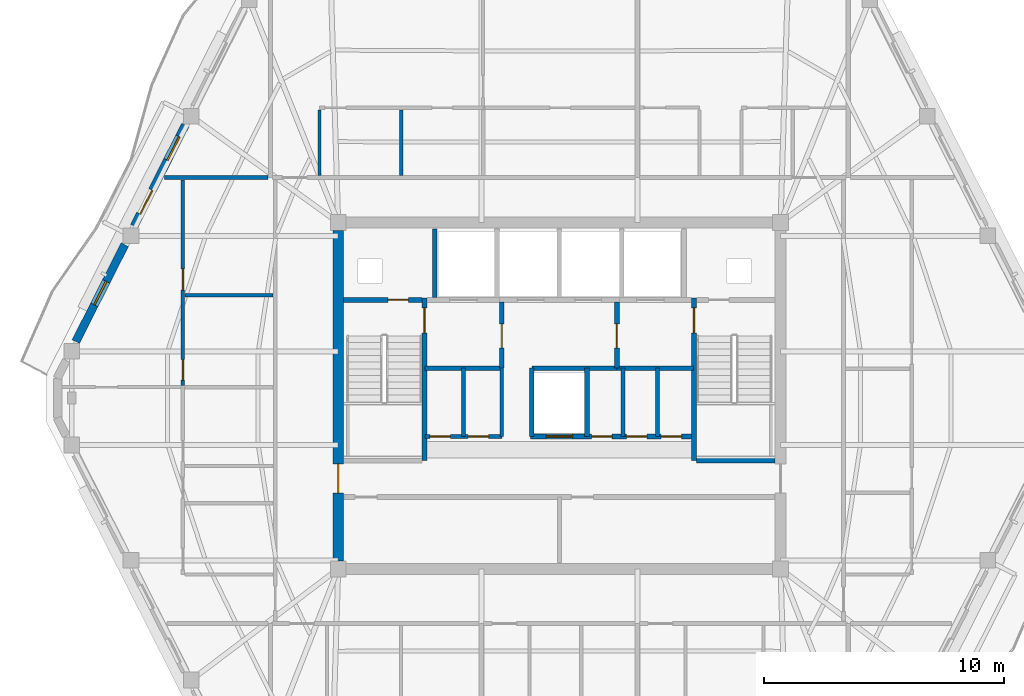
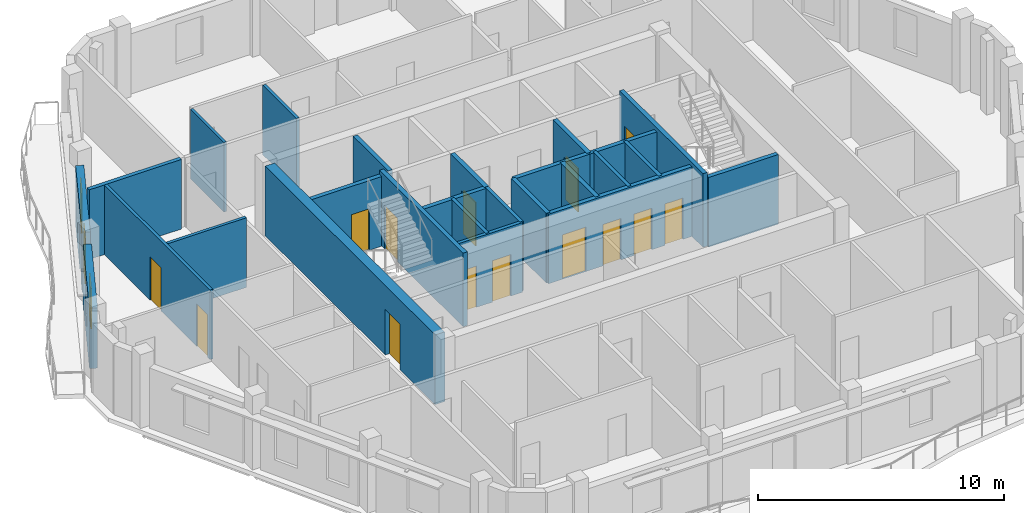
# One storey, part 5 of 12: 26 walls, 15 doors, 2 windows, 17 openings.
"""IFC4 building model written with IfcOpenShell, lengths in metres."""

from ifc_helpers import new_model, si_unit, direction, frame, frame_2d, origin, place, context, subcontext, project, spatial, rectangle, extrude, material, layer, layer_set, type_object, element, fill, save


model = new_model("IFC4")

# Units and contexts
model_context = context("Model", 3, precision=1e-05, world=origin(), true_north=direction((0.0, 1.0)))
body_context = subcontext(model_context, "Body", "Model", "MODEL_VIEW")
ifc_project = project(units=[si_unit("LENGTHUNIT", "METRE"), si_unit("AREAUNIT", "SQUARE_METRE"), si_unit("VOLUMEUNIT", "CUBIC_METRE"), si_unit("PLANEANGLEUNIT", "RADIAN"), si_unit("MASSUNIT", "GRAM", prefix="KILO")], contexts=[model_context])

# Site, building, storey
site_placement = place(None, origin())
site = spatial("IfcSite", under=ifc_project, at=site_placement, CompositionType="ELEMENT")
building_placement = place(site_placement, origin())
building = spatial("IfcBuilding", under=site, at=building_placement, Name="Cinnabar Lancet Tower", CompositionType="ELEMENT")
storey_placement = place(building_placement, frame((0.0, 0.0, 270.800048828125)))
storey = spatial("IfcBuildingStorey", under=building, at=storey_placement, Name="L72", CompositionType="ELEMENT", Elevation=270.800048828125)

# Wall, openings, doors
ifc_material_1 = material(Name="Acoustic twin-stud gypsum partition", Category="gypsum")
ifc_layer_1 = layer(ifc_material_1, 0.159912109375)
ifc_layer_set_1 = layer_set([ifc_layer_1], Name="Acoustic twin-stud gypsum partition")
wall_type_1 = type_object("IfcWallType", Name="ARC-WL-CORR-160", PredefinedType="PARTITIONING", material=ifc_layer_set_1)
wall_1_placement = place(storey_placement, frame((26.800048828125, 24.199951171875, 0.0), z_axis=(0.0, 0.0, 1.0), x_axis=(1.0, 0.0, 0.0)))
wall_1 = element("IfcWall", 1, at=wall_1_placement, inside=storey, type_object=wall_type_1, Name="CW-REC5S-L72", PredefinedType="PARTITIONING", context=body_context, shape_type="SweptSolid", body=[
    extrude(rectangle(XDim=3.199951171875, YDim=0.159912109375, at=frame_2d((1.60009765625, 0.0))), origin(), (0.0, 0.0, 1.0), 3.449951171875),
])
opening_1_placement = place(wall_1_placement, frame((0.199951171875, 0.0, 0.0)))
opening_1 = element("IfcOpeningElement", 2, at=opening_1_placement, cuts=wall_1, Name="Opening PD-02", PredefinedType="OPENING", context=body_context, shape_type="SweptSolid", body=[
    extrude(rectangle(XDim=0.85009765625, YDim=2.050048828125, at=frame_2d((0.425048828125, 1.02490234375))), frame((0.0, 0.08984375, 0.0), z_axis=(0.0, -1.0, 0.0), x_axis=(1.0, 0.0, 0.0)), (0.0, 0.0, 1.0), 0.179931640625),
])
opening_2_placement = place(wall_1_placement, frame((1.800048828125, 0.0, 0.0)))
opening_2 = element("IfcOpeningElement", 3, at=opening_2_placement, cuts=wall_1, Name="Opening PD-02", PredefinedType="OPENING", context=body_context, shape_type="SweptSolid", body=[
    extrude(rectangle(XDim=0.85009765625, YDim=2.050048828125, at=frame_2d((0.425048828125, 1.02490234375))), frame((0.0, 0.08984375, 0.0), z_axis=(0.0, -1.0, 0.0), x_axis=(1.0, 0.0, 0.0)), (0.0, 0.0, 1.0), 0.179931640625),
])
ifc_material_2 = material(Name="Fire-rated steel riser access door", Category="steel")
door_type_1 = type_object("IfcDoorType", Name="ARC-DR-RISER", OperationType="NOTDEFINED", PredefinedType="DOOR", material=ifc_material_2)
door_1_placement = place(opening_1_placement, origin())
door_1 = element("IfcDoor", 4, at=door_1_placement, inside=storey, type_object=door_type_1, Name="DR-L72-REC5A", OperationType="SINGLE_SWING_LEFT", OverallHeight=2.050048828125, OverallWidth=0.85009765625, PredefinedType="DOOR", context=body_context, shape_type="SweptSolid", body=[
    extrude(rectangle(XDim=0.85009765625, YDim=2.050048828125, at=frame_2d((0.425048828125, 1.02490234375))), frame((0.0, 0.02490234375, 0.0), z_axis=(0.0, -1.0, 0.0), x_axis=(1.0, 0.0, 0.0)), (0.0, 0.0, 1.0), 0.050048828125),
])
fill(opening_1, door_1)
door_2_placement = place(opening_2_placement, origin())
door_2 = element("IfcDoor", 5, at=door_2_placement, inside=storey, type_object=door_type_1, Name="DR-L72-REC5B", OperationType="SINGLE_SWING_RIGHT", OverallHeight=2.050048828125, OverallWidth=0.85009765625, PredefinedType="DOOR", context=body_context, shape_type="SweptSolid", body=[
    extrude(rectangle(XDim=0.85009765625, YDim=2.050048828125, at=frame_2d((0.425048828125, 1.02490234375))), frame((0.0, 0.02490234375, 0.0), z_axis=(0.0, -1.0, 0.0), x_axis=(1.0, 0.0, 0.0)), (0.0, 0.0, 1.0), 0.050048828125),
])
fill(opening_2, door_2)

# Walls
for number, where, z_axis, x_axis, name in (
    (6, (30.0, 24.199951171875, 0.0), (0.0, 0.0, 1.0), (0.0, 1.0, 0.0), "CW-REC5E-L72"),
    (7, (28.39990234375, 24.199951171875, 0.0), (0.0, 0.0, 1.0), (0.0, 1.0, 0.0), "CW-REC5D0-L72"),
    (8, (35.050048828125, 24.199951171875, 0.0), (0.0, 0.0, 1.0), (0.0, 1.0, 0.0), "CW-REC6D1-L72"),
    (9, (36.5, 24.199951171875, 0.0), (0.0, 0.0, 1.0), (0.0, 1.0, 0.0), "CW-REC6D2-L72"),
):
    element("IfcWall", number, at=place(storey_placement, frame(where, z_axis=z_axis, x_axis=x_axis)), inside=storey, type_object=wall_type_1, Name=name, PredefinedType="PARTITIONING", context=body_context, shape_type="SweptSolid", body=[
        extrude(rectangle(XDim=2.85009765625, YDim=0.159912109375, at=frame_2d((1.425048828125, 0.0))), origin(), (0.0, 0.0, 1.0), 3.449951171875),
    ])
ifc_material_3 = material(Name="Fire-rated twin-frame acoustic drywall", Category="gypsum")
ifc_layer_2 = layer(ifc_material_3, 0.179931640625)
ifc_layer_set_2 = layer_set([ifc_layer_2], Name="Fire-rated twin-frame acoustic drywall")
wall_type_2 = type_object("IfcWallType", Name="ARC-WL-PARTY-180", PredefinedType="PARTITIONING", material=ifc_layer_set_2)
wall_2_placement = place(storey_placement, frame((15.93310546875, 35.0, 0.0), z_axis=(0.0, 0.0, 1.0), x_axis=(1.0, 0.0, 0.0)))
element("IfcWall", 10, at=wall_2_placement, inside=storey, type_object=wall_type_2, Name="PW-L72-WNB", PredefinedType="PARTITIONING", context=body_context, shape_type="SweptSolid", body=[
    extrude(rectangle(XDim=4.32177734375, YDim=0.179931640625, at=frame_2d((2.160888671875, 0.0))), origin(), (0.0, 0.0, 1.0), 3.449951171875),
])
ifc_material_4 = material(Name="Autoclaved aerated concrete blockwork", Category="masonry")
ifc_layer_3 = layer(ifc_material_4, 0.199951171875)
ifc_layer_set_3 = layer_set([ifc_layer_3], Name="Autoclaved aerated concrete blockwork")
wall_type_3 = type_object("IfcWallType", Name="ARC-WL-SHAFT-200", PredefinedType="PLUMBINGWALL", material=ifc_layer_set_3)
wall_3_placement = place(storey_placement, frame((38.125, 23.199951171875, 0.0), z_axis=(0.0, 0.0, 1.0), x_axis=(1.0, 0.0, 0.0)))
element("IfcWall", 11, at=wall_3_placement, inside=storey, type_object=wall_type_3, Name="CW-ST2S-L72", PredefinedType="PLUMBINGWALL", context=body_context, shape_type="SweptSolid", body=[
    extrude(rectangle(XDim=3.27001953125, YDim=0.199951171875, at=frame_2d((1.635009765625, 0.0))), origin(), (0.0, 0.0, 1.0), 3.449951171875),
])

# Wall, opening, door
wall_4_placement = place(storey_placement, frame((23.405029296875, 29.89990234375, 0.0), z_axis=(0.0, 0.0, 1.0), x_axis=(1.0, 0.0, 0.0)))
wall_4 = element("IfcWall", 12, at=wall_4_placement, inside=storey, type_object=wall_type_3, Name="CW-NSH-W-L72", PredefinedType="PLUMBINGWALL", context=body_context, shape_type="SweptSolid", body=[
    extrude(rectangle(XDim=3.27001953125, YDim=0.199951171875, at=frame_2d((1.635009765625, 0.0))), origin(), (0.0, 0.0, 1.0), 3.449951171875),
])
opening_3_placement = place(wall_4_placement, frame((1.85009765625, 0.0, 0.0)))
opening_3 = element("IfcOpeningElement", 13, at=opening_3_placement, cuts=wall_4, Name="Opening PD-02", PredefinedType="OPENING", context=body_context, shape_type="SweptSolid", body=[
    extrude(rectangle(XDim=0.85009765625, YDim=2.050048828125, at=frame_2d((0.425048828125, 1.02490234375))), frame((0.0, 0.10986328125, 0.0), z_axis=(0.0, -1.0, 0.0), x_axis=(1.0, 0.0, 0.0)), (0.0, 0.0, 1.0), 0.219970703125),
])
door_3_placement = place(opening_3_placement, origin())
door_3 = element("IfcDoor", 14, at=door_3_placement, inside=storey, type_object=door_type_1, Name="L72 West Riser Access Door", OperationType="SINGLE_SWING_LEFT", OverallHeight=2.050048828125, OverallWidth=0.85009765625, PredefinedType="DOOR", context=body_context, shape_type="SweptSolid", body=[
    extrude(rectangle(XDim=0.85009765625, YDim=2.050048828125, at=frame_2d((0.425048828125, 1.02490234375))), frame((0.0, 0.02490234375, 0.0), z_axis=(0.0, -1.0, 0.0), x_axis=(1.0, 0.0, 0.0)), (0.0, 0.0, 1.0), 0.050048828125),
])
fill(opening_3, door_3)

# Wall
wall_5_placement = place(storey_placement, frame((27.199951171875, 30.0, 0.0), z_axis=(0.0, 0.0, 1.0), x_axis=(0.0, 1.0, 0.0)))
element("IfcWall", 15, at=wall_5_placement, inside=storey, type_object=wall_type_3, Name="CW-NSH-D1-L72", PredefinedType="PLUMBINGWALL", context=body_context, shape_type="SweptSolid", body=[
    extrude(rectangle(XDim=2.85009765625, YDim=0.199951171875, at=frame_2d((1.425048828125, 0.0))), origin(), (0.0, 0.0, 1.0), 3.449951171875),
])

# Wall, opening, door
wall_6_placement = place(storey_placement, frame((30.0, 27.050048828125, 0.0), z_axis=(0.0, 0.0, 1.0), x_axis=(0.0, 1.0, 0.0)))
wall_6 = element("IfcWall", 16, at=wall_6_placement, inside=storey, type_object=wall_type_3, Name="CW-FF1E-L72", PredefinedType="PLUMBINGWALL", context=body_context, shape_type="SweptSolid", body=[
    extrude(rectangle(XDim=2.75, YDim=0.199951171875, at=frame_2d((1.375, 0.0))), origin(), (0.0, 0.0, 1.0), 3.449951171875),
])
opening_4_placement = place(wall_6_placement, frame((0.85009765625, 0.0, 0.0)))
opening_4 = element("IfcOpeningElement", 17, at=opening_4_placement, cuts=wall_6, Name="Opening FD-01", PredefinedType="OPENING", context=body_context, shape_type="SweptSolid", body=[
    extrude(rectangle(XDim=1.0, YDim=2.14990234375, at=frame_2d((0.5, 1.074951171875))), frame((0.0, 0.10986328125, 0.0), z_axis=(0.0, -1.0, 0.0), x_axis=(1.0, 0.0, 0.0)), (0.0, 0.0, 1.0), 0.219970703125),
])
ifc_material_5 = material(Name="Fire-rated timber-core lobby door", Category="wood")
door_type_2 = type_object("IfcDoorType", Name="ARC-DR-FFAL", OperationType="NOTDEFINED", PredefinedType="DOOR", material=ifc_material_5)
door_4_placement = place(opening_4_placement, origin())
door_4 = element("IfcDoor", 18, at=door_4_placement, inside=storey, type_object=door_type_2, Name="L72 FFAL-1 Lobby Fire Door", OperationType="SINGLE_SWING_RIGHT", OverallHeight=2.14990234375, OverallWidth=1.0, PredefinedType="DOOR", context=body_context, shape_type="SweptSolid", body=[
    extrude(rectangle(XDim=1.0, YDim=2.14990234375, at=frame_2d((0.5, 1.074951171875))), frame((0.0, 0.02490234375, 0.0), z_axis=(0.0, -1.0, 0.0), x_axis=(1.0, 0.0, 0.0)), (0.0, 0.0, 1.0), 0.050048828125),
])
fill(opening_4, door_4)

# Wall
wall_7_placement = place(storey_placement, frame((26.800048828125, 27.050048828125, 0.0), z_axis=(0.0, 0.0, 1.0), x_axis=(1.0, 0.0, 0.0)))
element("IfcWall", 19, at=wall_7_placement, inside=storey, type_object=wall_type_3, Name="CW-FF1S-L72", PredefinedType="PLUMBINGWALL", context=body_context, shape_type="SweptSolid", body=[
    extrude(rectangle(XDim=3.199951171875, YDim=0.199951171875, at=frame_2d((1.60009765625, 0.0))), origin(), (0.0, 0.0, 1.0), 3.449951171875),
])

# Wall, opening, door
wall_8_placement = place(storey_placement, frame((34.800048828125, 27.050048828125, 0.0), z_axis=(0.0, 0.0, 1.0), x_axis=(0.0, 1.0, 0.0)))
wall_8 = element("IfcWall", 20, at=wall_8_placement, inside=storey, type_object=wall_type_3, Name="CW-FF2W-L72", PredefinedType="PLUMBINGWALL", context=body_context, shape_type="SweptSolid", body=[
    extrude(rectangle(XDim=2.75, YDim=0.199951171875, at=frame_2d((1.375, 0.0))), origin(), (0.0, 0.0, 1.0), 3.449951171875),
])
opening_5_placement = place(wall_8_placement, frame((0.85009765625, 0.0, 0.0)))
opening_5 = element("IfcOpeningElement", 21, at=opening_5_placement, cuts=wall_8, Name="Opening FD-01", PredefinedType="OPENING", context=body_context, shape_type="SweptSolid", body=[
    extrude(rectangle(XDim=1.0, YDim=2.14990234375, at=frame_2d((0.5, 1.074951171875))), frame((0.0, 0.10986328125, 0.0), z_axis=(0.0, -1.0, 0.0), x_axis=(1.0, 0.0, 0.0)), (0.0, 0.0, 1.0), 0.219970703125),
])
door_5_placement = place(opening_5_placement, origin())
door_5 = element("IfcDoor", 22, at=door_5_placement, inside=storey, type_object=door_type_2, Name="L72 FFAL-2 Lobby Fire Door", OperationType="SINGLE_SWING_LEFT", OverallHeight=2.14990234375, OverallWidth=1.0, PredefinedType="DOOR", context=body_context, shape_type="SweptSolid", body=[
    extrude(rectangle(XDim=1.0, YDim=2.14990234375, at=frame_2d((0.5, 1.074951171875))), frame((0.0, 0.02490234375, 0.0), z_axis=(0.0, -1.0, 0.0), x_axis=(1.0, 0.0, 0.0)), (0.0, 0.0, 1.0), 0.050048828125),
])
fill(opening_5, door_5)

# Wall
wall_9_placement = place(storey_placement, frame((34.800048828125, 27.050048828125, 0.0), z_axis=(0.0, 0.0, 1.0), x_axis=(1.0, 0.0, 0.0)))
element("IfcWall", 23, at=wall_9_placement, inside=storey, type_object=wall_type_3, Name="CW-FF2S-L72", PredefinedType="PLUMBINGWALL", context=body_context, shape_type="SweptSolid", body=[
    extrude(rectangle(XDim=3.199951171875, YDim=0.199951171875, at=frame_2d((1.60009765625, 0.0))), origin(), (0.0, 0.0, 1.0), 3.449951171875),
])

# Wall, openings, doors
wall_10_placement = place(storey_placement, frame((31.199951171875, 24.199951171875, 0.0), z_axis=(0.0, 0.0, 1.0), x_axis=(1.0, 0.0, 0.0)))
wall_10 = element("IfcWall", 24, at=wall_10_placement, inside=storey, type_object=wall_type_3, Name="CW-PL96S-L72", PredefinedType="PLUMBINGWALL", context=body_context, shape_type="SweptSolid", body=[
    extrude(rectangle(XDim=6.800048828125, YDim=0.199951171875, at=frame_2d((3.39990234375, 0.0))), origin(), (0.0, 0.0, 1.0), 3.449951171875),
])
opening_6_placement = place(wall_10_placement, frame((0.64990234375, 0.0, 0.0)))
opening_6 = element("IfcOpeningElement", 25, at=opening_6_placement, cuts=wall_10, Name="Opening LD-01", PredefinedType="OPENING", context=body_context, shape_type="SweptSolid", body=[
    extrude(rectangle(XDim=1.10009765625, YDim=2.199951171875, at=frame_2d((0.550048828125, 1.10009765625))), frame((0.0, 0.10986328125, 0.0), z_axis=(0.0, -1.0, 0.0), x_axis=(1.0, 0.0, 0.0)), (0.0, 0.0, 1.0), 0.219970703125),
])
opening_7_placement = place(wall_10_placement, frame((2.550048828125, 0.0, 0.0)))
opening_7 = element("IfcOpeningElement", 26, at=opening_7_placement, cuts=wall_10, Name="Opening PD-02", PredefinedType="OPENING", context=body_context, shape_type="SweptSolid", body=[
    extrude(rectangle(XDim=0.85009765625, YDim=2.050048828125, at=frame_2d((0.425048828125, 1.02490234375))), frame((0.0, 0.10986328125, 0.0), z_axis=(0.0, -1.0, 0.0), x_axis=(1.0, 0.0, 0.0)), (0.0, 0.0, 1.0), 0.219970703125),
])
opening_8_placement = place(wall_10_placement, frame((4.0, 0.0, 0.0)))
opening_8 = element("IfcOpeningElement", 27, at=opening_8_placement, cuts=wall_10, Name="Opening PD-02", PredefinedType="OPENING", context=body_context, shape_type="SweptSolid", body=[
    extrude(rectangle(XDim=0.85009765625, YDim=2.050048828125, at=frame_2d((0.425048828125, 1.02490234375))), frame((0.0, 0.10986328125, 0.0), z_axis=(0.0, -1.0, 0.0), x_axis=(1.0, 0.0, 0.0)), (0.0, 0.0, 1.0), 0.219970703125),
])
opening_9_placement = place(wall_10_placement, frame((5.449951171875, 0.0, 0.0)))
opening_9 = element("IfcOpeningElement", 28, at=opening_9_placement, cuts=wall_10, Name="Opening PD-02", PredefinedType="OPENING", context=body_context, shape_type="SweptSolid", body=[
    extrude(rectangle(XDim=0.85009765625, YDim=2.050048828125, at=frame_2d((0.425048828125, 1.02490234375))), frame((0.0, 0.10986328125, 0.0), z_axis=(0.0, -1.0, 0.0), x_axis=(1.0, 0.0, 0.0)), (0.0, 0.0, 1.0), 0.219970703125),
])
ifc_material_6 = material(Name="Brushed stainless steel sliding lift door", Category="steel")
door_type_3 = type_object("IfcDoorType", Name="ARC-DR-LD-PASS", OperationType="NOTDEFINED", PredefinedType="DOOR", material=ifc_material_6)
door_6_placement = place(opening_6_placement, origin())
door_6 = element("IfcDoor", 29, at=door_6_placement, inside=storey, type_object=door_type_3, Name="L72 Lift PL-9 Landing Door", OperationType="DOUBLE_DOOR_SLIDING", OverallHeight=2.199951171875, OverallWidth=1.10009765625, PredefinedType="DOOR", context=body_context, shape_type="SweptSolid", body=[
    extrude(rectangle(XDim=1.10009765625, YDim=2.199951171875, at=frame_2d((0.550048828125, 1.10009765625))), frame((0.0, 0.02490234375, 0.0), z_axis=(0.0, -1.0, 0.0), x_axis=(1.0, 0.0, 0.0)), (0.0, 0.0, 1.0), 0.050048828125),
])
fill(opening_6, door_6)
door_7_placement = place(opening_7_placement, origin())
door_7 = element("IfcDoor", 30, at=door_7_placement, inside=storey, type_object=door_type_1, Name="DR-L72-REC6A", OperationType="SINGLE_SWING_LEFT", OverallHeight=2.050048828125, OverallWidth=0.85009765625, PredefinedType="DOOR", context=body_context, shape_type="SweptSolid", body=[
    extrude(rectangle(XDim=0.85009765625, YDim=2.050048828125, at=frame_2d((0.425048828125, 1.02490234375))), frame((0.0, 0.02490234375, 0.0), z_axis=(0.0, -1.0, 0.0), x_axis=(1.0, 0.0, 0.0)), (0.0, 0.0, 1.0), 0.050048828125),
])
fill(opening_7, door_7)
door_8_placement = place(opening_8_placement, origin())
door_8 = element("IfcDoor", 31, at=door_8_placement, inside=storey, type_object=door_type_1, Name="DR-L72-REC6B", OperationType="SINGLE_SWING_RIGHT", OverallHeight=2.050048828125, OverallWidth=0.85009765625, PredefinedType="DOOR", context=body_context, shape_type="SweptSolid", body=[
    extrude(rectangle(XDim=0.85009765625, YDim=2.050048828125, at=frame_2d((0.425048828125, 1.02490234375))), frame((0.0, 0.02490234375, 0.0), z_axis=(0.0, -1.0, 0.0), x_axis=(1.0, 0.0, 0.0)), (0.0, 0.0, 1.0), 0.050048828125),
])
fill(opening_8, door_8)
door_9_placement = place(opening_9_placement, origin())
door_9 = element("IfcDoor", 32, at=door_9_placement, inside=storey, type_object=door_type_1, Name="DR-L72-REC6C", OperationType="SINGLE_SWING_LEFT", OverallHeight=2.050048828125, OverallWidth=0.85009765625, PredefinedType="DOOR", context=body_context, shape_type="SweptSolid", body=[
    extrude(rectangle(XDim=0.85009765625, YDim=2.050048828125, at=frame_2d((0.425048828125, 1.02490234375))), frame((0.0, 0.02490234375, 0.0), z_axis=(0.0, -1.0, 0.0), x_axis=(1.0, 0.0, 0.0)), (0.0, 0.0, 1.0), 0.050048828125),
])
fill(opening_9, door_9)

# Walls
for number, where, z_axis, x_axis, name in (
    (33, (31.25, 24.199951171875, 0.0), (0.0, 0.0, 1.0), (0.0, 1.0, 0.0), "CW-PL9W-L72"),
    (34, (33.550048828125, 24.199951171875, 0.0), (0.0, 0.0, 1.0), (0.0, 1.0, 0.0), "CW-PL9E-L72"),
):
    element("IfcWall", number, at=place(storey_placement, frame(where, z_axis=z_axis, x_axis=x_axis)), inside=storey, type_object=wall_type_3, Name=name, PredefinedType="PLUMBINGWALL", context=body_context, shape_type="SweptSolid", body=[
        extrude(rectangle(XDim=2.85009765625, YDim=0.199951171875, at=frame_2d((1.425048828125, 0.0))), origin(), (0.0, 0.0, 1.0), 3.449951171875),
    ])
wall_11_placement = place(storey_placement, frame((31.25, 27.050048828125, 0.0), z_axis=(0.0, 0.0, 1.0), x_axis=(1.0, 0.0, 0.0)))
element("IfcWall", 35, at=wall_11_placement, inside=storey, type_object=wall_type_3, Name="CW-PL96N-L72", PredefinedType="PLUMBINGWALL", context=body_context, shape_type="SweptSolid", body=[
    extrude(rectangle(XDim=3.550048828125, YDim=0.199951171875, at=frame_2d((1.77490234375, 0.0))), origin(), (0.0, 0.0, 1.0), 3.449951171875),
])
ifc_material_7 = material(Name="Gypsum plasterboard stud partition", Category="gypsum")
ifc_layer_4 = layer(ifc_material_7, 0.125)
ifc_layer_set_4 = layer_set([ifc_layer_4], Name="Gypsum plasterboard stud partition")
wall_type_4 = type_object("IfcWallType", Name="ARC-WL-UNIT-125", PredefinedType="PARTITIONING", material=ifc_layer_set_4)
wall_12_placement = place(storey_placement, frame((22.39990234375, 35.0849609375, 0.0), z_axis=(0.0, 0.0, 1.0), x_axis=(0.0, 1.0, 0.0)))
element("IfcWall", 36, at=wall_12_placement, inside=storey, type_object=wall_type_4, Name="UW-L72-N01-FOYE", PredefinedType="PARTITIONING", context=body_context, shape_type="SweptSolid", body=[
    extrude(rectangle(XDim=2.72509765625, YDim=0.125, at=frame_2d((1.362548828125, 0.0))), origin(), (0.0, 0.0, 1.0), 3.449951171875),
])
ifc_material_8 = material(Name="Moisture-resistant cement-board plumbing wall", Category="masonry")
ifc_layer_5 = layer(ifc_material_8, 0.139892578125)
ifc_layer_set_5 = layer_set([ifc_layer_5], Name="Moisture-resistant cement-board plumbing wall")
wall_type_5 = type_object("IfcWallType", Name="ARC-WL-WET-140", PredefinedType="PLUMBINGWALL", material=ifc_layer_set_5)
wall_13_placement = place(storey_placement, frame((25.800048828125, 35.0849609375, 0.0), z_axis=(0.0, 0.0, 1.0), x_axis=(0.0, 1.0, 0.0)))
element("IfcWall", 37, at=wall_13_placement, inside=storey, type_object=wall_type_5, Name="UW-L72-N01-KBD", PredefinedType="PLUMBINGWALL", context=body_context, shape_type="SweptSolid", body=[
    extrude(rectangle(XDim=2.72509765625, YDim=0.139892578125, at=frame_2d((1.362548828125, 0.0))), origin(), (0.0, 0.0, 1.0), 3.449951171875),
])

# Wall, openings, doors
wall_14_placement = place(storey_placement, frame((16.699951171875, 26.327880859375, 0.0), z_axis=(0.0, 0.0, 1.0), x_axis=(0.0, 1.0, 0.0)))
wall_14 = element("IfcWall", 38, at=wall_14_placement, inside=storey, type_object=wall_type_5, Name="UW-L72-W01-SPM", PredefinedType="PLUMBINGWALL", context=body_context, shape_type="SweptSolid", body=[
    extrude(rectangle(XDim=8.5771484375, YDim=0.139892578125, at=frame_2d((4.28857421875, 0.0))), origin(), (0.0, 0.0, 1.0), 3.449951171875),
])
opening_10_placement = place(wall_14_placement, frame((0.219970703125, 0.0, 0.0)))
opening_10 = element("IfcOpeningElement", 39, at=opening_10_placement, cuts=wall_14, Name="Opening BD-01", PredefinedType="OPENING", context=body_context, shape_type="SweptSolid", body=[
    extrude(rectangle(XDim=0.860107421875, YDim=2.10009765625, at=frame_2d((0.43017578125, 1.050048828125))), frame((0.0, 0.079833984375, 0.0), z_axis=(0.0, -1.0, 0.0), x_axis=(1.0, 0.0, 0.0)), (0.0, 0.0, 1.0), 0.159912109375),
])
opening_11_placement = place(wall_14_placement, frame((3.97998046875, 0.0, 0.0)))
opening_11 = element("IfcOpeningElement", 40, at=opening_11_placement, cuts=wall_14, Name="Opening RD-02", PredefinedType="OPENING", context=body_context, shape_type="SweptSolid", body=[
    extrude(rectangle(XDim=0.8798828125, YDim=2.14990234375, at=frame_2d((0.43994140625, 1.074951171875))), frame((0.0, 0.079833984375, 0.0), z_axis=(0.0, -1.0, 0.0), x_axis=(1.0, 0.0, 0.0)), (0.0, 0.0, 1.0), 0.159912109375),
])
ifc_material_9 = material(Name="Moisture-resistant timber bathroom door", Category="wood")
door_type_4 = type_object("IfcDoorType", Name="ARC-DR-BATH", OperationType="NOTDEFINED", PredefinedType="DOOR", material=ifc_material_9)
door_10_placement = place(opening_10_placement, origin())
door_10 = element("IfcDoor", 41, at=door_10_placement, inside=storey, type_object=door_type_4, Name="DR-L72-W01-ENS", OperationType="SINGLE_SWING_RIGHT", OverallHeight=2.10009765625, OverallWidth=0.860107421875, PredefinedType="DOOR", context=body_context, shape_type="SweptSolid", body=[
    extrude(rectangle(XDim=0.860107421875, YDim=2.10009765625, at=frame_2d((0.43017578125, 1.050048828125))), frame((0.0, 0.02490234375, 0.0), z_axis=(0.0, -1.0, 0.0), x_axis=(1.0, 0.0, 0.0)), (0.0, 0.0, 1.0), 0.050048828125),
])
fill(opening_10, door_10)
ifc_material_10 = material(Name="Engineered timber study door", Category="wood")
door_type_5 = type_object("IfcDoorType", Name="ARC-DR-STUDY", OperationType="NOTDEFINED", PredefinedType="DOOR", material=ifc_material_10)
door_11_placement = place(opening_11_placement, origin())
door_11 = element("IfcDoor", 42, at=door_11_placement, inside=storey, type_object=door_type_5, Name="DR-L72-W01-EWDR", OperationType="SINGLE_SWING_LEFT", OverallHeight=2.14990234375, OverallWidth=0.8798828125, PredefinedType="DOOR", context=body_context, shape_type="SweptSolid", body=[
    extrude(rectangle(XDim=0.8798828125, YDim=2.14990234375, at=frame_2d((0.43994140625, 1.074951171875))), frame((0.0, 0.02490234375, 0.0), z_axis=(0.0, -1.0, 0.0), x_axis=(1.0, 0.0, 0.0)), (0.0, 0.0, 1.0), 0.050048828125),
])
fill(opening_11, door_11)

# Wall
wall_15_placement = place(storey_placement, frame((16.784912109375, 30.087890625, 0.0), z_axis=(0.0, 0.0, 1.0), x_axis=(1.0, 0.0, 0.0)))
element("IfcWall", 43, at=wall_15_placement, inside=storey, type_object=wall_type_5, Name="UW-L72-W01-EWDV", PredefinedType="PLUMBINGWALL", context=body_context, shape_type="SweptSolid", body=[
    extrude(rectangle(XDim=3.68017578125, YDim=0.139892578125, at=frame_2d((1.840087890625, 0.0))), origin(), (0.0, 0.0, 1.0), 3.449951171875),
])

# Wall, openings, door, window
ifc_material_11 = material(Name="Cinnabar red clay brick", Category="masonry")
ifc_layer_6 = layer(ifc_material_11, 0.340087890625)
ifc_layer_set_6 = layer_set([ifc_layer_6], Name="Cinnabar red clay brick")
wall_type_6 = type_object("IfcWallType", Name="ENV-WL-BRK-RED-340", PredefinedType="STANDARD", material=ifc_layer_set_6)
wall_16_placement = place(storey_placement, frame((16.798095703125, 37.18701171875, 0.0), z_axis=(0.0, 0.0, 1.0), x_axis=(-0.451447516904, -0.892297674255, 0.0)))
wall_16 = element("IfcWall", 44, at=wall_16_placement, inside=storey, type_object=wall_type_6, Name="L72 Face 5 Masonry Bay Wall 3", PredefinedType="STANDARD", context=body_context, shape_type="SweptSolid", body=[
    extrude(rectangle(XDim=4.72265625, YDim=0.340087890625, at=frame_2d((2.361328125, 0.0))), origin(), (0.0, 0.0, 1.0), 2.98291015625),
])
opening_12_placement = place(wall_16_placement, frame((3.052978515625, 0.0, 0.0)))
opening_12 = element("IfcOpeningElement", 45, at=opening_12_placement, cuts=wall_16, Name="Opening TD-01", PredefinedType="OPENING", context=body_context, shape_type="SweptSolid", body=[
    extrude(rectangle(XDim=1.10009765625, YDim=2.25, at=frame_2d((0.550048828125, 1.125))), frame((0.0, 0.179931640625, 0.0), z_axis=(0.0, -1.0, 0.0), x_axis=(1.0, 0.0, 0.0)), (0.0, 0.0, 1.0), 0.360107421875),
])
opening_13_placement = place(wall_16_placement, frame((0.5458984375, 0.0, 0.75)))
opening_13 = element("IfcOpeningElement", 46, at=opening_13_placement, cuts=wall_16, Name="Opening WN-04", PredefinedType="OPENING", context=body_context, shape_type="SweptSolid", body=[
    extrude(rectangle(XDim=1.10009765625, YDim=2.0, at=frame_2d((0.550048828125, 1.0))), frame((0.0, 0.179931640625, 0.0), z_axis=(0.0, -1.0, 0.0), x_axis=(1.0, 0.0, 0.0)), (0.0, 0.0, 1.0), 0.360107421875),
])
ifc_material_12 = material(Name="Thermally broken low-E glazed balcony terrace door", Category="wood")
door_type_6 = type_object("IfcDoorType", Name="ARC-DR-BALC", OperationType="NOTDEFINED", PredefinedType="DOOR", material=ifc_material_12)
door_12_placement = place(opening_12_placement, origin())
door_12 = element("IfcDoor", 47, at=door_12_placement, inside=storey, type_object=door_type_6, Name="L72 Face 5 Glazed Terrace Door", OperationType="SINGLE_SWING_LEFT", OverallHeight=2.25, OverallWidth=1.10009765625, PredefinedType="DOOR", context=body_context, shape_type="SweptSolid", body=[
    extrude(rectangle(XDim=1.10009765625, YDim=2.25, at=frame_2d((0.550048828125, 1.125))), frame((0.0, 0.02490234375, 0.0), z_axis=(0.0, -1.0, 0.0), x_axis=(1.0, 0.0, 0.0)), (0.0, 0.0, 1.0), 0.050048828125),
])
fill(opening_12, door_12)
ifc_material_13 = material(Name="Thermally broken bronze-anodized aluminium tall lancet window", Category="aluminium")
window_type = type_object("IfcWindowType", Name="ENV-WN-LANCET-1100", PartitioningType="SINGLE_PANEL", PredefinedType="WINDOW", material=ifc_material_13)
window_1_placement = place(opening_13_placement, origin())
window_1 = element("IfcWindow", 48, at=window_1_placement, inside=storey, type_object=window_type, Name="L72 Split-Bay Gothic Lancet Window 270", OverallHeight=2.0, OverallWidth=1.10009765625, PartitioningType="SINGLE_PANEL", PredefinedType="WINDOW", context=body_context, shape_type="SweptSolid", body=[
    extrude(rectangle(XDim=1.10009765625, YDim=2.0, at=frame_2d((0.550048828125, 1.0))), frame((0.0, 0.030029296875, 0.0), z_axis=(0.0, -1.0, 0.0), x_axis=(1.0, 0.0, 0.0)), (0.0, 0.0, 1.0), 0.06005859375),
])
fill(opening_13, window_1)

# Wall, opening, window
wall_17_placement = place(storey_placement, frame((14.277099609375, 32.202880859375, 0.0), z_axis=(0.0, 0.0, 1.0), x_axis=(-0.45147697324, -0.892282770558, 0.0)))
wall_17 = element("IfcWall", 49, at=wall_17_placement, inside=storey, type_object=wall_type_6, Name="L72 Face 5 Masonry Bay Wall 4", PredefinedType="STANDARD", context=body_context, shape_type="SweptSolid", body=[
    extrude(rectangle(XDim=4.530029296875, YDim=0.340087890625, at=frame_2d((2.26513671875, 0.0))), origin(), (0.0, 0.0, 1.0), 2.98291015625),
])
opening_14_placement = place(wall_17_placement, frame((1.715087890625, 0.0, 0.75)))
opening_14 = element("IfcOpeningElement", 50, at=opening_14_placement, cuts=wall_17, Name="Opening WN-04", PredefinedType="OPENING", context=body_context, shape_type="SweptSolid", body=[
    extrude(rectangle(XDim=1.10009765625, YDim=2.0, at=frame_2d((0.550048828125, 1.0))), frame((0.0, 0.179931640625, 0.0), z_axis=(0.0, -1.0, 0.0), x_axis=(1.0, 0.0, 0.0)), (0.0, 0.0, 1.0), 0.360107421875),
])
window_2_placement = place(opening_14_placement, origin())
window_2 = element("IfcWindow", 51, at=window_2_placement, inside=storey, type_object=window_type, Name="L72 Face 5 Gothic Lancet Window 4", OverallHeight=2.0, OverallWidth=1.10009765625, PartitioningType="SINGLE_PANEL", PredefinedType="WINDOW", context=body_context, shape_type="SweptSolid", body=[
    extrude(rectangle(XDim=1.10009765625, YDim=2.0, at=frame_2d((0.550048828125, 1.0))), frame((0.0, 0.030029296875, 0.0), z_axis=(0.0, -1.0, 0.0), x_axis=(1.0, 0.0, 0.0)), (0.0, 0.0, 1.0), 0.06005859375),
])
fill(opening_14, window_2)

# Wall, opening, door
ifc_material_14 = material(Name="Concrete C50/60", Category="concrete")
ifc_layer_7 = layer(ifc_material_14, 0.449951171875)
ifc_layer_set_7 = layer_set([ifc_layer_7], Name="Concrete C50/60")
wall_type_7 = type_object("IfcWallType", Name="STR-WL-CORE-450", PredefinedType="SHEAR", material=ifc_layer_set_7)
wall_18_placement = place(storey_placement, frame((23.175048828125, 19.0, 0.0), z_axis=(0.0, 0.0, 1.0), x_axis=(0.0, 1.0, 0.0)))
wall_18 = element("IfcWall", 52, at=wall_18_placement, inside=storey, type_object=wall_type_7, Name="L72 Core Shear Wall W", PredefinedType="SHEAR", context=body_context, shape_type="SweptSolid", body=[
    extrude(rectangle(XDim=13.800048828125, YDim=0.449951171875, at=frame_2d((6.89990234375, 0.0))), origin(), (0.0, 0.0, 1.0), 3.449951171875),
])
opening_15_placement = place(wall_18_placement, frame((2.840087890625, 0.0, 0.0)))
opening_15 = element("IfcOpeningElement", 53, at=opening_15_placement, cuts=wall_18, Name="Opening FD-02", PredefinedType="OPENING", context=body_context, shape_type="SweptSolid", body=[
    extrude(rectangle(XDim=1.219970703125, YDim=2.25, at=frame_2d((0.60986328125, 1.125))), frame((0.0, 0.23486328125, 0.0), z_axis=(0.0, -1.0, 0.0), x_axis=(1.0, 0.0, 0.0)), (0.0, 0.0, 1.0), 0.469970703125),
])
ifc_material_15 = material(Name="Fire-rated double-vision core portal door", Category="wood")
door_type_7 = type_object("IfcDoorType", Name="ARC-DR-CPORT", OperationType="NOTDEFINED", PredefinedType="DOOR", material=ifc_material_15)
door_13_placement = place(opening_15_placement, origin())
door_13 = element("IfcDoor", 54, at=door_13_placement, inside=storey, type_object=door_type_7, Name="L72 West Core Lobby Fire Door", OperationType="SINGLE_SWING_RIGHT", OverallHeight=2.25, OverallWidth=1.219970703125, PredefinedType="DOOR", context=body_context, shape_type="SweptSolid", body=[
    extrude(rectangle(XDim=1.219970703125, YDim=2.25, at=frame_2d((0.60986328125, 1.125))), frame((0.0, 0.02490234375, 0.0), z_axis=(0.0, -1.0, 0.0), x_axis=(1.0, 0.0, 0.0)), (0.0, 0.0, 1.0), 0.050048828125),
])
fill(opening_15, door_13)

ifc_material_16 = material(Name="Concrete C50/60", Category="concrete")
ifc_layer_8 = layer(ifc_material_16, 0.199951171875)
ifc_layer_set_8 = layer_set([ifc_layer_8], Name="Concrete C50/60")
wall_type_8 = type_object("IfcWallType", Name="STR-WL-STAIR-200", PredefinedType="SHEAR", material=ifc_layer_set_8)
wall_19_placement = place(storey_placement, frame((26.780029296875, 23.199951171875, 0.0), z_axis=(0.0, 0.0, 1.0), x_axis=(0.0, 1.0, 0.0)))
wall_19 = element("IfcWall", 55, at=wall_19_placement, inside=storey, type_object=wall_type_8, Name="L72 Stair ST-1 Structural Enclosure Wall", PredefinedType="SHEAR", context=body_context, shape_type="SweptSolid", body=[
    extrude(rectangle(XDim=6.780029296875, YDim=0.199951171875, at=frame_2d((3.39013671875, 0.0))), origin(), (0.0, 0.0, 1.0), 3.64990234375),
])
opening_16_placement = place(wall_19_placement, frame((5.320068359375, 0.0, 0.0)))
opening_16 = element("IfcOpeningElement", 56, at=opening_16_placement, cuts=wall_19, Name="Opening SD-01", PredefinedType="OPENING", context=body_context, shape_type="SweptSolid", body=[
    extrude(rectangle(XDim=1.050048828125, YDim=2.14990234375, at=frame_2d((0.52490234375, 1.074951171875))), frame((0.0, 0.10986328125, 0.0), z_axis=(0.0, -1.0, 0.0), x_axis=(1.0, 0.0, 0.0)), (0.0, 0.0, 1.0), 0.219970703125),
])
ifc_material_17 = material(Name="Fire-rated steel stair exit door", Category="steel")
door_type_8 = type_object("IfcDoorType", Name="ARC-DR-STAIR", OperationType="NOTDEFINED", PredefinedType="DOOR", material=ifc_material_17)
door_14_placement = place(opening_16_placement, origin())
door_14 = element("IfcDoor", 57, at=door_14_placement, inside=storey, type_object=door_type_8, Name="L72 Stair ST-1 Fire Door", OperationType="SINGLE_SWING_LEFT", OverallHeight=2.14990234375, OverallWidth=1.050048828125, PredefinedType="DOOR", context=body_context, shape_type="SweptSolid", body=[
    extrude(rectangle(XDim=1.050048828125, YDim=2.14990234375, at=frame_2d((0.52490234375, 1.074951171875))), frame((0.0, 0.02490234375, 0.0), z_axis=(0.0, -1.0, 0.0), x_axis=(1.0, 0.0, 0.0)), (0.0, 0.0, 1.0), 0.050048828125),
])
fill(opening_16, door_14)

wall_20_placement = place(storey_placement, frame((38.02001953125, 23.199951171875, 0.0), z_axis=(0.0, 0.0, 1.0), x_axis=(0.0, 1.0, 0.0)))
wall_20 = element("IfcWall", 58, at=wall_20_placement, inside=storey, type_object=wall_type_8, Name="L72 Stair ST-2 Structural Enclosure Wall", PredefinedType="SHEAR", context=body_context, shape_type="SweptSolid", body=[
    extrude(rectangle(XDim=6.780029296875, YDim=0.199951171875, at=frame_2d((3.39013671875, 0.0))), origin(), (0.0, 0.0, 1.0), 3.64990234375),
])
opening_17_placement = place(wall_20_placement, frame((5.320068359375, 0.0, 0.0)))
opening_17 = element("IfcOpeningElement", 59, at=opening_17_placement, cuts=wall_20, Name="Opening SD-01", PredefinedType="OPENING", context=body_context, shape_type="SweptSolid", body=[
    extrude(rectangle(XDim=1.050048828125, YDim=2.14990234375, at=frame_2d((0.52490234375, 1.074951171875))), frame((0.0, 0.10986328125, 0.0), z_axis=(0.0, -1.0, 0.0), x_axis=(1.0, 0.0, 0.0)), (0.0, 0.0, 1.0), 0.219970703125),
])
door_15_placement = place(opening_17_placement, origin())
door_15 = element("IfcDoor", 60, at=door_15_placement, inside=storey, type_object=door_type_8, Name="L72 Stair ST-2 Fire Door", OperationType="SINGLE_SWING_RIGHT", OverallHeight=2.14990234375, OverallWidth=1.050048828125, PredefinedType="DOOR", context=body_context, shape_type="SweptSolid", body=[
    extrude(rectangle(XDim=1.050048828125, YDim=2.14990234375, at=frame_2d((0.52490234375, 1.074951171875))), frame((0.0, 0.02490234375, 0.0), z_axis=(0.0, -1.0, 0.0), x_axis=(1.0, 0.0, 0.0)), (0.0, 0.0, 1.0), 0.050048828125),
])
fill(opening_17, door_15)

save(model, "model.ifc")
